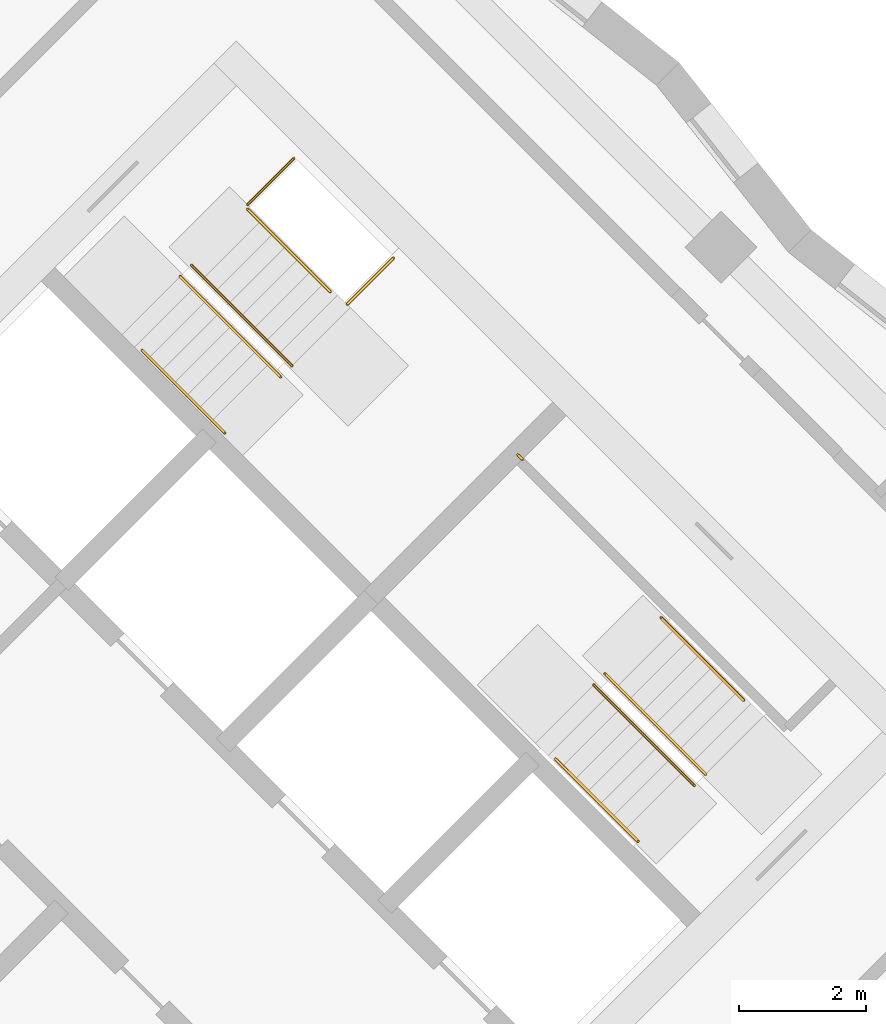
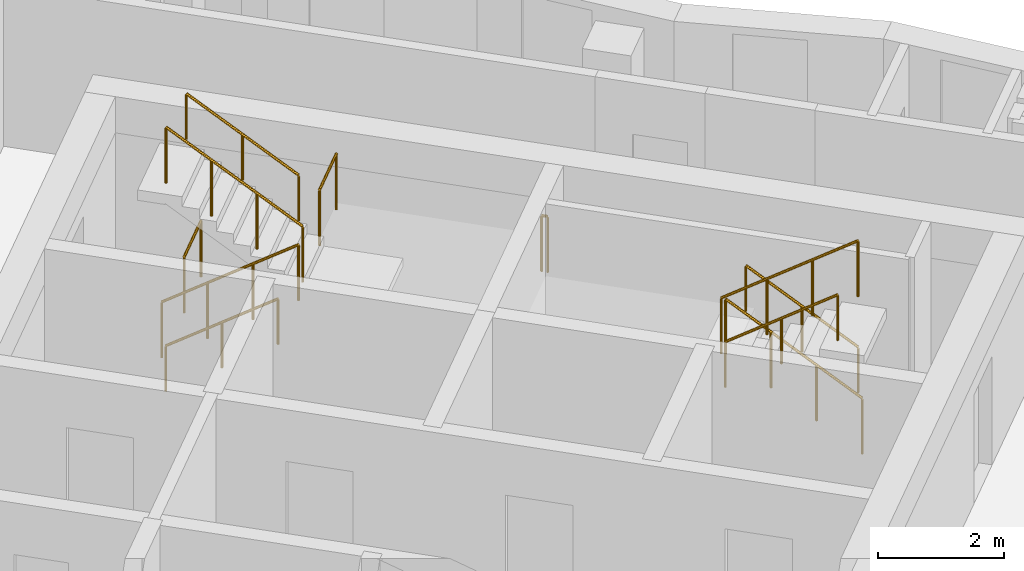
# One storey, part 12 of 12: 11 railings.
"""IFC4 building model written with IfcOpenShell, lengths in metres."""

from ifc_helpers import new_model, si_unit, direction, frame, origin, origin_2d, place, context, subcontext, project, spatial, circle, extrude, material, type_object, element, save


model = new_model("IFC4")

# Units and contexts
model_context = context("Model", 3, precision=1e-05, world=origin(), true_north=direction((0.0, 1.0)))
body_context = subcontext(model_context, "Body", "Model", "MODEL_VIEW")
ifc_project = project(units=[si_unit("LENGTHUNIT", "METRE"), si_unit("AREAUNIT", "SQUARE_METRE"), si_unit("VOLUMEUNIT", "CUBIC_METRE"), si_unit("PLANEANGLEUNIT", "RADIAN"), si_unit("MASSUNIT", "GRAM", prefix="KILO")], contexts=[model_context])

# Site, building, storey
site_placement = place(None, origin())
site = spatial("IfcSite", under=ifc_project, at=site_placement, CompositionType="ELEMENT")
building_placement = place(site_placement, origin())
building = spatial("IfcBuilding", under=site, at=building_placement, Name="Windrow Commons", CompositionType="ELEMENT")
storey_placement = place(building_placement, frame((0.0, 0.0, 199.8)))
storey = spatial("IfcBuildingStorey", under=building, at=storey_placement, Name="L54", CompositionType="ELEMENT", Elevation=199.8)

# Railings
ifc_material_1 = material(Name="Steel S355", Category="steel")
railing_type_1 = type_object("IfcRailingType", Name="Core stair guard 1100", PredefinedType="GUARDRAIL", material=ifc_material_1)
railing_1_placement = place(storey_placement, frame((85.9529, 56.2669, 0.1889)))
element("IfcRailing", 1, at=railing_1_placement, inside=storey, type_object=railing_type_1, Name="L54 ST-B1 stair guard 1", PredefinedType="GUARDRAIL", context=body_context, shape_type="SweptSolid", body=[
    extrude(circle(Radius=0.024, at=origin_2d()), frame((0.0, 0.0, 1.076), z_axis=(0.5861914914, -0.5861914914, 0.5592486664), x_axis=(0.7071067812, 0.7071067812, 0.0)), (0.0, 0.0, 1.0), 2.702),
    extrude(circle(Radius=0.021, at=origin_2d()), origin(), (0.0, 0.0, 1.0), 1.052),
    extrude(circle(Radius=0.021, at=origin_2d()), frame((0.528, -0.528, 0.5037)), (0.0, 0.0, 1.0), 1.052),
    extrude(circle(Radius=0.021, at=origin_2d()), frame((1.0559, -1.0559, 1.0074)), (0.0, 0.0, 1.0), 1.052),
    extrude(circle(Radius=0.021, at=origin_2d()), frame((1.5839, -1.5839, 1.5111)), (0.0, 0.0, 1.0), 1.052),
])
railing_2_placement = place(storey_placement, frame((87.7136, 54.8597, 1.8889)))
element("IfcRailing", 2, at=railing_2_placement, inside=storey, type_object=railing_type_1, Name="L54 ST-B1 stair guard 2", PredefinedType="GUARDRAIL", context=body_context, shape_type="SweptSolid", body=[
    extrude(circle(Radius=0.024, at=origin_2d()), frame((0.0, 0.0, 1.076), z_axis=(-0.5862030657, 0.5862030657, 0.5592244018), x_axis=(-0.7071067812, -0.7071067812, 0.0)), (0.0, 0.0, 1.0), 2.7021),
    extrude(circle(Radius=0.021, at=origin_2d()), origin(), (0.0, 0.0, 1.0), 1.052),
    extrude(circle(Radius=0.021, at=origin_2d()), frame((-0.528, 0.528, 0.5037)), (0.0, 0.0, 1.0), 1.052),
    extrude(circle(Radius=0.021, at=origin_2d()), frame((-1.056, 1.056, 1.0074)), (0.0, 0.0, 1.0), 1.052),
    extrude(circle(Radius=0.021, at=origin_2d()), frame((-1.584, 1.584, 1.5111)), (0.0, 0.0, 1.0), 1.052),
])
railing_3_placement = place(storey_placement, frame((87.0135, 57.3982, 0.0)))
element("IfcRailing", 3, at=railing_3_placement, inside=storey, type_object=railing_type_1, Name="L54 ST-B1 stair guard 3", PredefinedType="GUARDRAIL", context=body_context, shape_type="SweptSolid", body=[
    extrude(circle(Radius=0.024, at=origin_2d()), frame((0.0, 0.0, 1.076), z_axis=(0.7070582378, 0.7071553212, 0.0), x_axis=(-0.7071553212, 0.7070582378, 0.0)), (0.0, 0.0, 1.0), 1.03),
    extrude(circle(Radius=0.021, at=origin_2d()), origin(), (0.0, 0.0, 1.0), 1.052),
    extrude(circle(Radius=0.021, at=origin_2d()), frame((0.7283, 0.7284, 0.0)), (0.0, 0.0, 1.0), 1.052),
])
railing_4_placement = place(storey_placement, frame((88.5833, 55.8285, 1.7)))
element("IfcRailing", 4, at=railing_4_placement, inside=storey, type_object=railing_type_1, Name="L54 ST-B1 stair guard 4", PredefinedType="GUARDRAIL", context=body_context, shape_type="SweptSolid", body=[
    extrude(circle(Radius=0.024, at=origin_2d()), frame((0.0, 0.0, 1.076), z_axis=(0.7071067812, 0.7071067812, 0.0), x_axis=(-0.7071067812, 0.7071067812, 0.0)), (0.0, 0.0, 1.0), 1.03),
    extrude(circle(Radius=0.021, at=origin_2d()), origin(), (0.0, 0.0, 1.0), 1.052),
    extrude(circle(Radius=0.021, at=origin_2d()), frame((0.7283, 0.7283, 0.0)), (0.0, 0.0, 1.0), 1.052),
])
railing_5_placement = place(storey_placement, frame((94.2296, 48.4215, 0.1889)))
element("IfcRailing", 5, at=railing_5_placement, inside=storey, type_object=railing_type_1, Name="L54 ST-B2 stair guard 1", PredefinedType="GUARDRAIL", context=body_context, shape_type="SweptSolid", body=[
    extrude(circle(Radius=0.024, at=origin_2d()), frame((0.0, 0.0, 1.076), z_axis=(-0.5862157828, 0.5861787742, 0.5592365337), x_axis=(-0.7070844598, -0.7071291018, 0.0)), (0.0, 0.0, 1.0), 2.7021),
    extrude(circle(Radius=0.021, at=origin_2d()), origin(), (0.0, 0.0, 1.0), 1.052),
    extrude(circle(Radius=0.021, at=origin_2d()), frame((-0.528, 0.528, 0.5037)), (0.0, 0.0, 1.0), 1.052),
    extrude(circle(Radius=0.021, at=origin_2d()), frame((-1.056, 1.0559, 1.0074)), (0.0, 0.0, 1.0), 1.052),
    extrude(circle(Radius=0.021, at=origin_2d()), frame((-1.584, 1.5839, 1.5111)), (0.0, 0.0, 1.0), 1.052),
])
railing_6_placement = place(storey_placement, frame((92.4689, 49.8287, 1.8889)))
element("IfcRailing", 6, at=railing_6_placement, inside=storey, type_object=railing_type_1, Name="L54 ST-B2 stair guard 2", PredefinedType="GUARDRAIL", context=body_context, shape_type="SweptSolid", body=[
    extrude(circle(Radius=0.024, at=origin_2d()), frame((0.0, 0.0, 1.076), z_axis=(0.5861787742, -0.5862157828, 0.5592365337), x_axis=(0.7071291018, 0.7070844598, 0.0)), (0.0, 0.0, 1.0), 2.7021),
    extrude(circle(Radius=0.021, at=origin_2d()), origin(), (0.0, 0.0, 1.0), 1.052),
    extrude(circle(Radius=0.021, at=origin_2d()), frame((0.528, -0.528, 0.5037)), (0.0, 0.0, 1.0), 1.052),
    extrude(circle(Radius=0.021, at=origin_2d()), frame((1.0559, -1.056, 1.0074)), (0.0, 0.0, 1.0), 1.052),
    extrude(circle(Radius=0.021, at=origin_2d()), frame((1.5839, -1.584, 1.5111)), (0.0, 0.0, 1.0), 1.052),
])
railing_7_placement = place(storey_placement, frame((91.3446, 53.3854, 1.7)))
element("IfcRailing", 7, at=railing_7_placement, inside=storey, type_object=railing_type_1, Name="L54 ST-B2 stair guard 3", PredefinedType="GUARDRAIL", context=body_context, shape_type="SweptSolid", body=[
    extrude(circle(Radius=0.024, at=origin_2d()), frame((0.0, 0.0, 1.076), z_axis=(-0.7076063266, 0.7066068826, 0.0), x_axis=(-0.7066068826, -0.7076063266, 0.0)), (0.0, 0.0, 1.0), 0.1001),
    extrude(circle(Radius=0.021, at=origin_2d()), origin(), (0.0, 0.0, 1.0), 1.052),
    extrude(circle(Radius=0.021, at=origin_2d()), frame((-0.0708, 0.0707, 0.0)), (0.0, 0.0, 1.0), 1.052),
])
ifc_material_2 = material(Name="Steel S355", Category="steel")
railing_type_2 = type_object("IfcRailingType", Name="Core stair handrail 900", PredefinedType="HANDRAIL", material=ifc_material_2)
railing_8_placement = place(storey_placement, frame((85.3518, 55.1001, 0.4587)))
element("IfcRailing", 8, at=railing_8_placement, inside=storey, type_object=railing_type_2, Name="L54 ST-B1 stair handrail 1", PredefinedType="HANDRAIL", context=body_context, shape_type="SweptSolid", body=[
    extrude(circle(Radius=0.024, at=origin_2d()), frame((0.0, 0.0, 0.876), z_axis=(0.586206706, -0.5861616513, 0.5592639952), x_axis=(0.7070796062, 0.7071339551, 0.0)), (0.0, 0.0, 1.0), 2.2195),
    extrude(circle(Radius=0.021, at=origin_2d()), origin(), (0.0, 0.0, 1.0), 0.852),
    extrude(circle(Radius=0.021, at=origin_2d()), frame((0.6506, -0.6505, 0.6206)), (0.0, 0.0, 1.0), 0.852),
    extrude(circle(Radius=0.021, at=origin_2d()), frame((1.3011, -1.301, 1.2413)), (0.0, 0.0, 1.0), 0.852),
])
for number, where, name in (
    (9, (88.3146, 56.0265, 2.1587), "L54 ST-B1 stair handrail 2"),
    (10, (94.8306, 49.5883, 0.4587), "L54 ST-B2 stair handrail 1"),
):
    element("IfcRailing", number, at=place(storey_placement, frame(where)), inside=storey, type_object=railing_type_2, Name=name, PredefinedType="HANDRAIL", context=body_context, shape_type="SweptSolid", body=[
        extrude(circle(Radius=0.024, at=origin_2d()), frame((0.0, 0.0, 0.876), z_axis=(-0.586206706, 0.5861616513, 0.5592639952), x_axis=(-0.7070796062, -0.7071339551, 0.0)), (0.0, 0.0, 1.0), 2.2195),
        extrude(circle(Radius=0.021, at=origin_2d()), origin(), (0.0, 0.0, 1.0), 0.852),
        extrude(circle(Radius=0.021, at=origin_2d()), frame((-0.6506, 0.6505, 0.6206)), (0.0, 0.0, 1.0), 0.852),
        extrude(circle(Radius=0.021, at=origin_2d()), frame((-1.3011, 1.301, 1.2413)), (0.0, 0.0, 1.0), 0.852),
    ])
railing_9_placement = place(storey_placement, frame((91.8678, 48.6619, 2.1587)))
element("IfcRailing", 11, at=railing_9_placement, inside=storey, type_object=railing_type_2, Name="L54 ST-B2 stair handrail 2", PredefinedType="HANDRAIL", context=body_context, shape_type="SweptSolid", body=[
    extrude(circle(Radius=0.024, at=origin_2d()), frame((0.0, 0.0, 0.876), z_axis=(0.586206706, -0.5861616513, 0.5592639952), x_axis=(0.7070796062, 0.7071339551, 0.0)), (0.0, 0.0, 1.0), 2.2195),
    extrude(circle(Radius=0.021, at=origin_2d()), origin(), (0.0, 0.0, 1.0), 0.852),
    extrude(circle(Radius=0.021, at=origin_2d()), frame((0.6505, -0.6505, 0.6206)), (0.0, 0.0, 1.0), 0.852),
    extrude(circle(Radius=0.021, at=origin_2d()), frame((1.3011, -1.301, 1.2413)), (0.0, 0.0, 1.0), 0.852),
])

save(model, "model.ifc")
